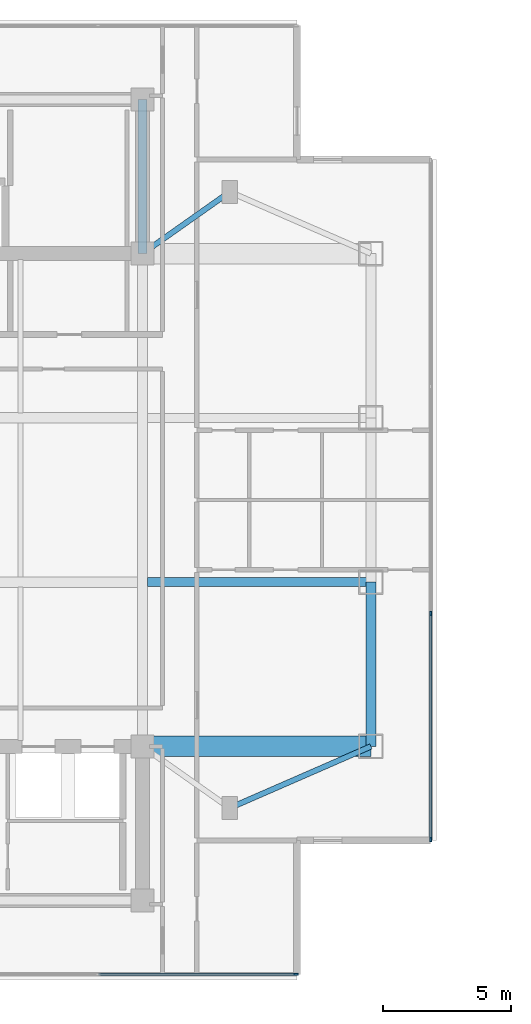
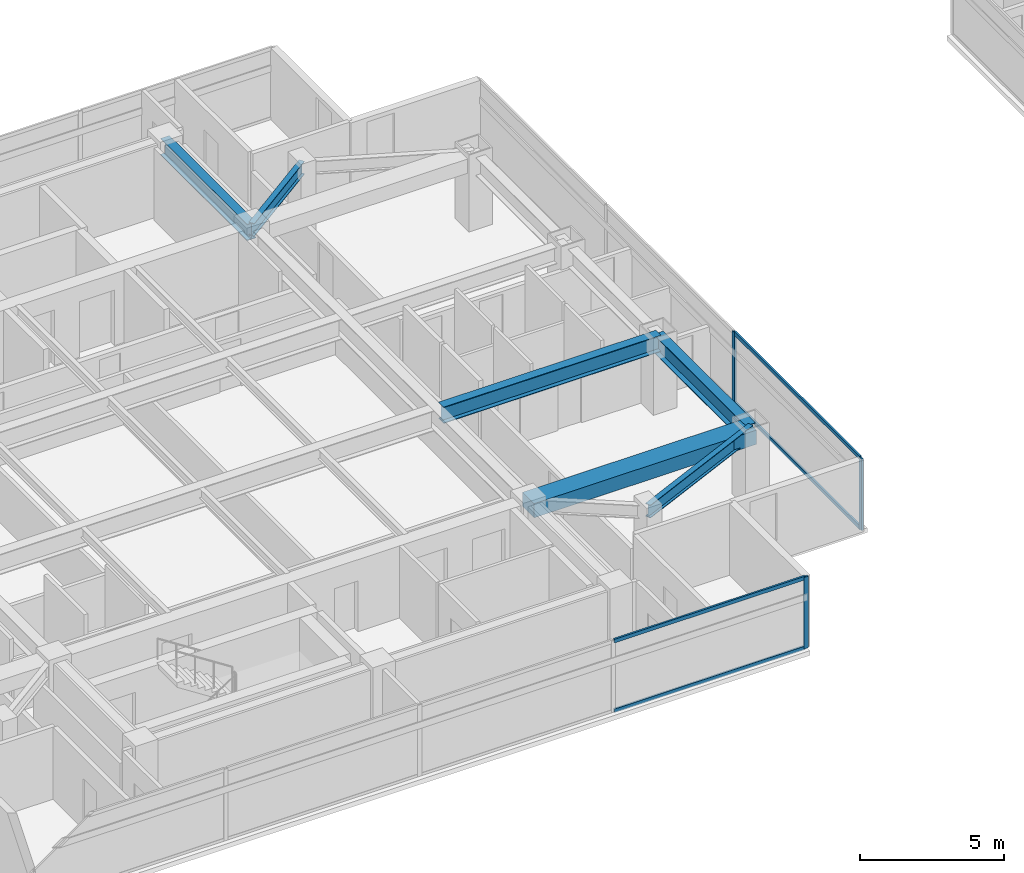
# One storey, part 4 of 24: 7 members, 6 beams, 2 elements without a shape of their own.
"""IFC4 building model written with IfcOpenShell, lengths in metres."""

from ifc_helpers import new_model, si_unit, direction, frame, origin, origin_2d, place, context, subcontext, project, spatial, rectangle, i_section, extrude, material, material_profile, profile_set, type_object, element, aggregate, save


model = new_model("IFC4")

# Units and contexts
model_context = context("Model", 3, precision=1e-05, world=origin(), true_north=direction((0.0, 1.0)))
body_context = subcontext(model_context, "Body", "Model", "MODEL_VIEW")
ifc_project = project(units=[si_unit("LENGTHUNIT", "METRE"), si_unit("AREAUNIT", "SQUARE_METRE"), si_unit("VOLUMEUNIT", "CUBIC_METRE"), si_unit("PLANEANGLEUNIT", "RADIAN"), si_unit("MASSUNIT", "GRAM", prefix="KILO")], contexts=[model_context])

# Site, building, storey
site_placement = place(None, origin())
site = spatial("IfcSite", under=ifc_project, at=site_placement, CompositionType="ELEMENT")
building_placement = place(site_placement, origin())
building = spatial("IfcBuilding", under=site, at=building_placement, Name="Mirazonda Arch Towers", CompositionType="ELEMENT")
storey_placement = place(building_placement, frame((0.0, 0.0, 199.89990234375)))
storey = spatial("IfcBuildingStorey", under=building, at=storey_placement, Name="L57", CompositionType="ELEMENT", Elevation=199.89990234375)

# Beams
ifc_material_1 = material(Name="Steel ASTM A992 Grade 50", Category="steel")
ifc_material_profile_1 = material_profile(ifc_material_1, i_section(OverallWidth=0.381103515625, OverallDepth=0.77294921875, WebThickness=0.0166015625, FlangeThickness=0.027099609375, at=origin_2d()), Name="W30X173")
ifc_profile_set_1 = profile_set([ifc_material_profile_1], Name="Steel ASTM A992 Grade 50")
beam_type_1 = type_object("IfcBeamType", Name="BM-EXT-W30X173", PredefinedType="USERDEFINED", material=ifc_profile_set_1)
beam_1_placement = place(storey_placement, frame((38.89990234375, 18.39990234375, 2.66357421875), z_axis=(0.0, 1.0, 0.0), x_axis=(-1.0, 0.0, 0.0)))
element("IfcBeam", 1, at=beam_1_placement, inside=storey, type_object=beam_type_1, Name="L57 Floor Beam BM-T1-L57-NS-E-18", ObjectType="GIRDER", PredefinedType="USERDEFINED", context=body_context, shape_type="SweptSolid", body=[
    extrude(i_section(OverallWidth=0.381103515625, OverallDepth=0.77294921875, WebThickness=0.0166015625, FlangeThickness=0.027099609375, at=origin_2d()), origin(), (0.0, 0.0, 1.0), 6.400146484375),
])
ifc_material_profile_2 = material_profile(ifc_material_1, i_section(OverallWidth=0.214111328125, OverallDepth=0.549072265625, WebThickness=0.0146484375, FlangeThickness=0.023681640625, at=origin_2d()), Name="W21X93")
ifc_profile_set_2 = profile_set([ifc_material_profile_2], Name="Steel ASTM A992 Grade 50")
beam_type_2 = type_object("IfcBeamType", Name="BM-INT-W21X93", PredefinedType="BEAM", material=ifc_profile_set_2)
beam_2_placement = place(storey_placement, frame((33.39990234375, 16.0, 2.775634765625), z_axis=(0.916545343703, 0.399930785183, 0.0), x_axis=(-0.399930785183, 0.916545343703, 0.0)))
element("IfcBeam", 2, at=beam_2_placement, inside=storey, type_object=beam_type_2, Name="L57 Floor Beam BM-T1-L57-PL-SE2", PredefinedType="BEAM", context=body_context, shape_type="SweptSolid", body=[
    extrude(i_section(OverallWidth=0.214111328125, OverallDepth=0.549072265625, WebThickness=0.0146484375, FlangeThickness=0.023681640625, at=origin_2d()), origin(), (0.0, 0.0, 1.0), 6.000732421875),
])
beam_3_placement = place(storey_placement, frame((33.39990234375, 40.0, 2.775634765625), z_axis=(-0.816971114901, -0.576678591087, 0.0), x_axis=(0.576678591087, -0.816971114901, 0.0)))
element("IfcBeam", 3, at=beam_3_placement, inside=storey, type_object=beam_type_2, Name="L57 Floor Beam BM-T1-L57-PL-NE1", PredefinedType="BEAM", context=body_context, shape_type="SweptSolid", body=[
    extrude(i_section(OverallWidth=0.214111328125, OverallDepth=0.549072265625, WebThickness=0.0146484375, FlangeThickness=0.023681640625, at=origin_2d()), origin(), (0.0, 0.0, 1.0), 4.16162109375),
])
ifc_material_profile_3 = material_profile(ifc_material_1, i_section(OverallWidth=0.35498046875, OverallDepth=0.696044921875, WebThickness=0.015380859375, FlangeThickness=0.02490234375, at=origin_2d()), Name="W27X146")
ifc_profile_set_3 = profile_set([ifc_material_profile_3], Name="Steel ASTM A992 Grade 50")
beam_type_3 = type_object("IfcBeamType", Name="BM-INT-W27X146", PredefinedType="BEAM", material=ifc_profile_set_3)
beam_4_placement = place(storey_placement, frame((30.199951171875, 24.800048828125, 2.7021484375), z_axis=(1.0, 0.0, 0.0), x_axis=(0.0, 1.0, 0.0)))
element("IfcBeam", 4, at=beam_4_placement, inside=storey, type_object=beam_type_3, Name="L57 Floor Beam BM-T1-L57-GE2", PredefinedType="BEAM", context=body_context, shape_type="SweptSolid", body=[
    extrude(i_section(OverallWidth=0.35498046875, OverallDepth=0.696044921875, WebThickness=0.015380859375, FlangeThickness=0.02490234375, at=origin_2d()), origin(), (0.0, 0.0, 1.0), 8.699951171875),
])
beam_5_placement = place(storey_placement, frame((30.0, 37.60009765625, 2.7021484375), z_axis=(0.0, 1.0, 0.0), x_axis=(-1.0, 0.0, 0.0)))
element("IfcBeam", 5, at=beam_5_placement, inside=storey, type_object=beam_type_3, Name="L57 Floor Beam BM-T1-L57-CNE", PredefinedType="BEAM", context=body_context, shape_type="SweptSolid", body=[
    extrude(i_section(OverallWidth=0.35498046875, OverallDepth=0.696044921875, WebThickness=0.015380859375, FlangeThickness=0.02490234375, at=origin_2d()), origin(), (0.0, 0.0, 1.0), 6.0),
])
ifc_material_2 = material(Name="Concrete C60/75", Category="concrete")
ifc_material_profile_4 = material_profile(ifc_material_2, rectangle(XDim=0.800048828125, YDim=0.60009765625, at=origin_2d()), Name="RCCB800x600")
ifc_profile_set_4 = profile_set([ifc_material_profile_4], Name="Concrete C60/75")
beam_type_4 = type_object("IfcBeamType", Name="CB-INT-RCCB800x600", PredefinedType="SPANDREL", material=ifc_profile_set_4)
beam_6_placement = place(storey_placement, frame((30.0, 18.39990234375, 2.75), z_axis=(1.0, 0.0, 0.0), x_axis=(0.0, 1.0, 0.0)))
element("IfcBeam", 6, at=beam_6_placement, inside=storey, type_object=beam_type_4, Name="L57 Floor Beam CBC-T1-L57-SE", PredefinedType="SPANDREL", context=body_context, shape_type="SweptSolid", body=[
    extrude(rectangle(XDim=0.800048828125, YDim=0.60009765625, at=origin_2d()), origin(), (0.0, 0.0, 1.0), 8.89990234375),
])

# Curtain wall, member
ifc_material_3 = material(Name="Anodised Aluminium and Low-E Glass", Category="aluminium")
curtain_wall_type = type_object("IfcCurtainWallType", Name="CW-RES-UNIT", PredefinedType="NOTDEFINED", material=ifc_material_3)
curtain_wall_1_placement = place(storey_placement, origin())
curtain_wall_1 = element("IfcCurtainWall", 7, at=curtain_wall_1_placement, inside=storey, type_object=curtain_wall_type, Name="L57 T1 S Facade CW-L57-T1-S", PredefinedType="NOTDEFINED")
ifc_material_4 = material(Name="Anodised Aluminium Alloy", Category="aluminium")
ifc_material_profile_5 = material_profile(ifc_material_4, rectangle(XDim=0.074951171875, YDim=0.175048828125, at=origin_2d()), Name="ALU-MULL-75x175")
ifc_profile_set_5 = profile_set([ifc_material_profile_5], Name="Anodised Aluminium Alloy")
member_type_1 = type_object("IfcMemberType", Name="MULL-CW-RES-UNIT", PredefinedType="MULLION", material=ifc_profile_set_5)
member_1_placement = place(storey_placement, frame((35.9775390625, 9.52001953125, 0.0), z_axis=(0.0, 0.0, 1.0), x_axis=(0.0, -1.0, 0.0)))
member_1 = element("IfcMember", 8, at=member_1_placement, type_object=member_type_1, Name="CW-104 mullion 1", PredefinedType="MULLION", context=body_context, shape_type="SweptSolid", body=[
    extrude(rectangle(XDim=0.074951171875, YDim=0.175048828125, at=origin_2d()), origin(), (0.0, 0.0, 1.0), 3.030029296875),
])

# Curtain wall, members
curtain_wall_2_placement = place(storey_placement, origin())
curtain_wall_2 = element("IfcCurtainWall", 9, at=curtain_wall_2_placement, inside=storey, type_object=curtain_wall_type, Name="L57 T1 E Facade CW-L57-T1-E", PredefinedType="NOTDEFINED")
member_2_placement = place(storey_placement, frame((41.22998046875, 14.7724609375, 0.0), z_axis=(0.0, 0.0, 1.0), x_axis=(-1.0, 0.0, 0.0)))
member_2 = element("IfcMember", 10, at=member_2_placement, type_object=member_type_1, Name="CW-104 mullion 1", PredefinedType="MULLION", context=body_context, shape_type="SweptSolid", body=[
    extrude(rectangle(XDim=0.074951171875, YDim=0.175048828125, at=origin_2d()), origin(), (0.0, 0.0, 1.0), 3.030029296875),
])
member_3_placement = place(storey_placement, frame((41.22998046875, 23.578369140625, 0.0), z_axis=(0.0, 0.0, 1.0), x_axis=(-1.0, 0.0, 0.0)))
member_3 = element("IfcMember", 11, at=member_3_placement, type_object=member_type_1, Name="CW-104 mullion 2", PredefinedType="MULLION", context=body_context, shape_type="SweptSolid", body=[
    extrude(rectangle(XDim=0.074951171875, YDim=0.175048828125, at=origin_2d()), origin(), (0.0, 0.0, 1.0), 3.030029296875),
])

# Member
ifc_material_profile_6 = material_profile(ifc_material_4, rectangle(XDim=0.074951171875, YDim=0.155029296875, at=origin_2d()), Name="ALU-TRAN-75x155")
ifc_profile_set_6 = profile_set([ifc_material_profile_6], Name="Anodised Aluminium Alloy")
member_type_2 = type_object("IfcMemberType", Name="TRAN-CW-RES-UNIT", PredefinedType="USERDEFINED", material=ifc_profile_set_6)
member_4_placement = place(storey_placement, frame((35.93994140625, 9.52001953125, 0.03759765625), z_axis=(-1.0, 0.0, 0.0), x_axis=(0.0, -1.0, 0.0)))
member_4 = element("IfcMember", 12, at=member_4_placement, type_object=member_type_2, Name="CW-104 transom 1.1", ObjectType="TRANSOM", PredefinedType="USERDEFINED", context=body_context, shape_type="SweptSolid", body=[
    extrude(rectangle(XDim=0.074951171875, YDim=0.155029296875, at=origin_2d()), origin(), (0.0, 0.0, 1.0), 7.64501953125),
])

member_5_placement = place(storey_placement, frame((35.93994140625, 9.52001953125, 2.99267578125), z_axis=(-1.0, 0.0, 0.0), x_axis=(0.0, -1.0, 0.0)))
member_5 = element("IfcMember", 13, at=member_5_placement, type_object=member_type_2, Name="CW-104 transom 1.2", ObjectType="TRANSOM", PredefinedType="USERDEFINED", context=body_context, shape_type="SweptSolid", body=[
    extrude(rectangle(XDim=0.074951171875, YDim=0.155029296875, at=origin_2d()), origin(), (0.0, 0.0, 1.0), 7.64501953125),
])

aggregate(curtain_wall_1, [member_1, member_4, member_5])

member_6_placement = place(storey_placement, frame((41.22998046875, 14.81005859375, 0.03759765625), z_axis=(0.0, 1.0, 0.0), x_axis=(-1.0, 0.0, 0.0)))
member_6 = element("IfcMember", 14, at=member_6_placement, type_object=member_type_2, Name="CW-104 transom 1.1", ObjectType="TRANSOM", PredefinedType="USERDEFINED", context=body_context, shape_type="SweptSolid", body=[
    extrude(rectangle(XDim=0.074951171875, YDim=0.155029296875, at=origin_2d()), origin(), (0.0, 0.0, 1.0), 8.730712890625),
])

member_7_placement = place(storey_placement, frame((41.22998046875, 14.81005859375, 2.99267578125), z_axis=(0.0, 1.0, 0.0), x_axis=(-1.0, 0.0, 0.0)))
member_7 = element("IfcMember", 15, at=member_7_placement, type_object=member_type_2, Name="CW-104 transom 1.2", ObjectType="TRANSOM", PredefinedType="USERDEFINED", context=body_context, shape_type="SweptSolid", body=[
    extrude(rectangle(XDim=0.074951171875, YDim=0.155029296875, at=origin_2d()), origin(), (0.0, 0.0, 1.0), 8.730712890625),
])

aggregate(curtain_wall_2, [member_2, member_3, member_6, member_7])

save(model, "model.ifc")
